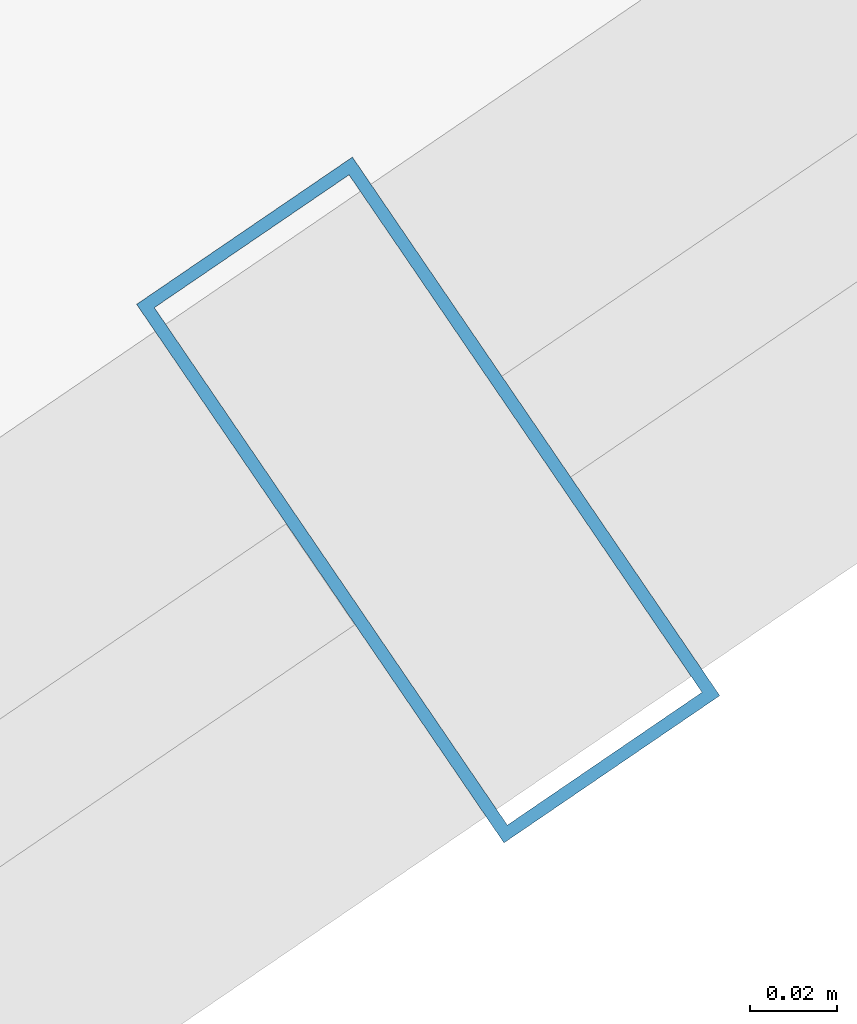
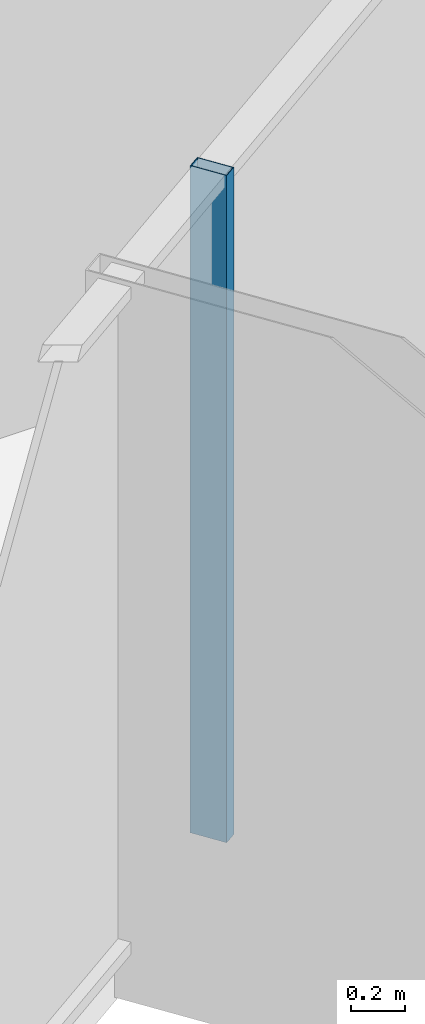
# One storey, part 10 of 34: 1 member, 1 element without a shape of its own.
"""IFC4 building model written with IfcOpenShell, lengths in metres."""

from ifc_helpers import new_model, si_unit, direction, frame, origin, origin_2d, place, context, subcontext, project, spatial, hollow_rectangle, extrude, source, transform, mapped, material, layer, layer_set, material_profile, profile_set, type_object, element, aggregate, save


model = new_model("IFC4")

# Units and contexts
model_context = context("Model", 3, precision=1e-05, world=origin(), true_north=direction((0.0, 1.0)))
body_context = subcontext(model_context, "Body", "Model", "MODEL_VIEW")
ifc_project = project(units=[si_unit("LENGTHUNIT", "METRE"), si_unit("AREAUNIT", "SQUARE_METRE"), si_unit("VOLUMEUNIT", "CUBIC_METRE"), si_unit("PLANEANGLEUNIT", "RADIAN"), si_unit("MASSUNIT", "GRAM", prefix="KILO")], contexts=[model_context])

# Site, building, storey
site_placement = place(None, origin())
site = spatial("IfcSite", under=ifc_project, at=site_placement, CompositionType="ELEMENT")
building_placement = place(site_placement, origin())
building = spatial("IfcBuilding", under=site, at=building_placement, Name="Veraguas Prism Commons", CompositionType="ELEMENT")
storey_placement = place(building_placement, frame((0.0, 0.0, 191.85009765625)))
storey = spatial("IfcBuildingStorey", under=building, at=storey_placement, Name="L54", CompositionType="ELEMENT", Elevation=191.85009765625)

# Curtain wall, member
ifc_material = material(Name="Anodised aluminium EN AW-6063 T6", Category="aluminium")
ifc_layer = layer(ifc_material, 0.14990234375, Name="Unitised Flush Curtain Wall Zone 3", Category="aluminium")
ifc_layer_set = layer_set([ifc_layer], Name="Anodised aluminium EN AW-6063 T6")
curtain_wall_type = type_object("IfcCurtainWallType", Name="Unitised Flush Curtain Wall Zone 3", PredefinedType="NOTDEFINED", material=ifc_layer_set)
curtain_wall_placement = place(storey_placement, origin())
curtain_wall = element("IfcCurtainWall", 1, at=curtain_wall_placement, inside=storey, type_object=curtain_wall_type, Name="Tower Facade Curtain Wall L54-F5", PredefinedType="NOTDEFINED")
ifc_material_profile = material_profile(ifc_material, hollow_rectangle(XDim=0.06005859375, YDim=0.14990234375, WallThickness=0.0029296875, at=origin_2d()), Name="AL60X150X3")
ifc_profile_set = profile_set([ifc_material_profile], Name="Anodised aluminium EN AW-6063 T6")
member_type = type_object("IfcMemberType", Name="Curtain Wall Mullion Upper AL 60x150x3", PredefinedType="MULLION", material=ifc_profile_set)
shared_shape = source(origin(), body_context, "Body", "SweptSolid", [
    extrude(hollow_rectangle(XDim=0.06005859375, YDim=0.14990234375, WallThickness=0.0029296875, at=origin_2d()), origin(), (0.0, 0.0, 1.0), 3.014892578125),
])
member_placement = place(storey_placement, frame((37.264404296875, 11.610107421875, 0.0), z_axis=(0.0, 0.0, 1.0), x_axis=(0.826095343869, 0.56353037437, 0.0)))
member = element("IfcMember", 2, at=member_placement, type_object=member_type, Name="CW-Z3 Mullion 4", PredefinedType="MULLION", context=body_context, shape_type="MappedRepresentation", body=[
    mapped(shared_shape, transform((0.0, 0.0, 0.0), scale=1.0)),
])
aggregate(curtain_wall, [member])

save(model, "model.ifc")
